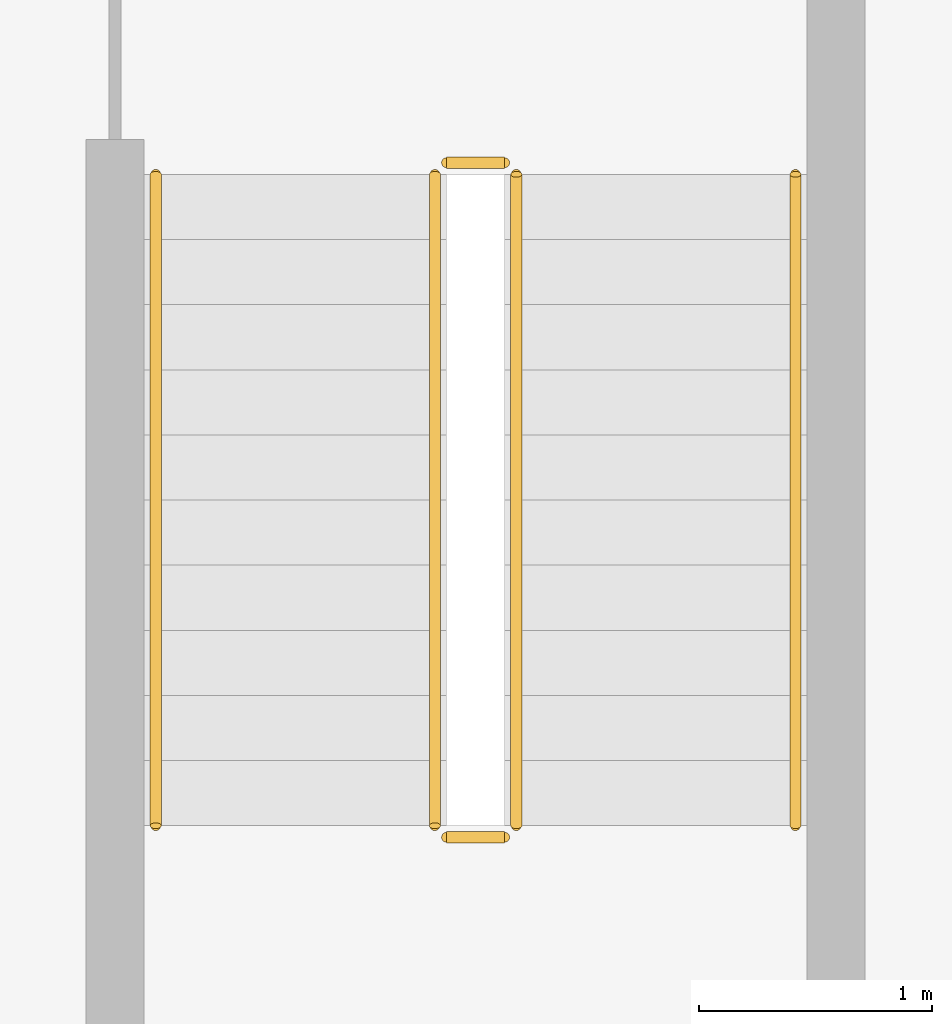
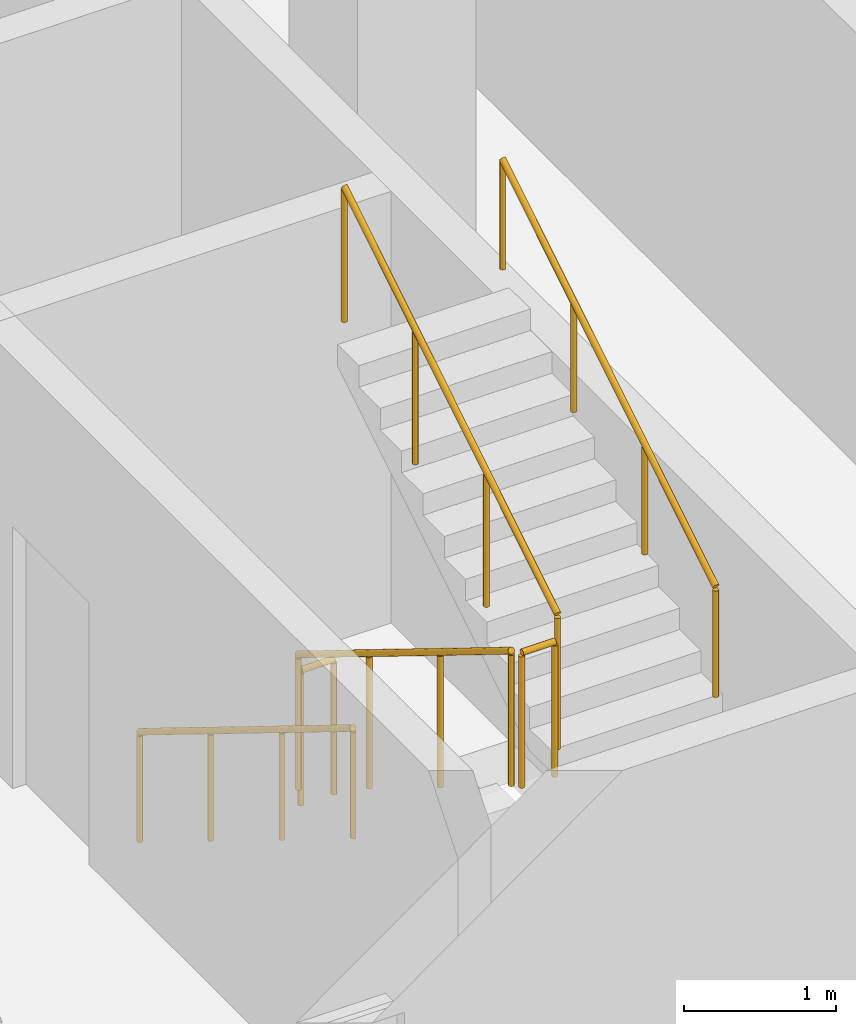
# One storey, part 26 of 29: 6 railings.
"""IFC4 building model written with IfcOpenShell, lengths in metres."""

from ifc_helpers import new_model, si_unit, direction, frame, origin, origin_2d, place, context, subcontext, project, spatial, circle, extrude, material, type_object, element, save


model = new_model("IFC4")

# Units and contexts
model_context = context("Model", 3, precision=1e-05, world=origin(), true_north=direction((0.0, 1.0)))
body_context = subcontext(model_context, "Body", "Model", "MODEL_VIEW")
ifc_project = project(units=[si_unit("LENGTHUNIT", "METRE"), si_unit("AREAUNIT", "SQUARE_METRE"), si_unit("VOLUMEUNIT", "CUBIC_METRE"), si_unit("PLANEANGLEUNIT", "RADIAN"), si_unit("MASSUNIT", "GRAM", prefix="KILO")], contexts=[model_context])

# Site, building, storey
site_placement = place(None, origin())
site = spatial("IfcSite", under=ifc_project, at=site_placement, CompositionType="ELEMENT")
building_placement = place(site_placement, origin())
building = spatial("IfcBuilding", under=site, at=building_placement, Name="Mahtab Terrace Research Tower", CompositionType="ELEMENT")
storey_placement = place(building_placement, frame((0.0, 0.0, 274.699951171875)))
storey = spatial("IfcBuildingStorey", under=building, at=storey_placement, Name="L67", CompositionType="ELEMENT", Elevation=274.699951171875)

# Railings
ifc_material = material(Name="Stainless steel AISI 304", Category="steel")
railing_type_1 = type_object("IfcRailingType", Name="Stair guard 1100", PredefinedType="GUARDRAIL", material=ifc_material)
railing_1_placement = place(storey_placement, frame((2.949951171875, -4.175048828125, 0.1728515625)))
element("IfcRailing", 1, at=railing_1_placement, inside=storey, type_object=railing_type_1, Name="L67 ST2 stair guard 1", PredefinedType="GUARDRAIL", context=body_context, shape_type="SweptSolid", body=[
    extrude(circle(Radius=0.02392578125, at=origin_2d()), frame((0.0, 0.0, 1.076171875), z_axis=(0.0, -0.851089632645, 0.525020415988), x_axis=(1.0, 0.0, 0.0)), (0.0, 0.0, 1.0), 3.2900390625),
    extrude(circle(Radius=0.02099609375, at=origin_2d()), origin(), (0.0, 0.0, 1.0), 1.052001953125),
    extrude(circle(Radius=0.02099609375, at=origin_2d()), frame((0.0, -0.933349609375, 0.57568359375)), (0.0, 0.0, 1.0), 1.052001953125),
    extrude(circle(Radius=0.02099609375, at=origin_2d()), frame((0.0, -1.86669921875, 1.151611328125)), (0.0, 0.0, 1.0), 1.052001953125),
    extrude(circle(Radius=0.02099609375, at=origin_2d()), frame((0.0, -2.800048828125, 1.727294921875)), (0.0, 0.0, 1.0), 1.052001953125),
])
railing_2_placement = place(storey_placement, frame((3.0, -7.02490234375, 1.900146484375)))
element("IfcRailing", 2, at=railing_2_placement, inside=storey, type_object=railing_type_1, Name="L67 ST2 stair guard 2", PredefinedType="GUARDRAIL", context=body_context, shape_type="SweptSolid", body=[
    extrude(circle(Radius=0.02392578125, at=origin_2d()), frame((0.0, 0.0, 1.076171875), z_axis=(1.0, 0.0, 0.0), x_axis=(0.0, 1.0, 0.0)), (0.0, 0.0, 1.0), 0.25),
    extrude(circle(Radius=0.02099609375, at=origin_2d()), origin(), (0.0, 0.0, 1.0), 1.052001953125),
    extrude(circle(Radius=0.02099609375, at=origin_2d()), frame((0.25, 0.0, 0.0)), (0.0, 0.0, 1.0), 1.052001953125),
])
railing_3_placement = place(storey_placement, frame((3.300048828125, -6.97509765625, 2.07275390625)))
element("IfcRailing", 3, at=railing_3_placement, inside=storey, type_object=railing_type_1, Name="L67 ST2 stair guard 3", PredefinedType="GUARDRAIL", context=body_context, shape_type="SweptSolid", body=[
    extrude(circle(Radius=0.02392578125, at=origin_2d()), frame((0.0, 0.0, 1.076171875), z_axis=(0.0, 0.851089632645, 0.525020415988), x_axis=(-1.0, 0.0, 0.0)), (0.0, 0.0, 1.0), 3.2900390625),
    extrude(circle(Radius=0.02099609375, at=origin_2d()), origin(), (0.0, 0.0, 1.0), 1.052001953125),
    extrude(circle(Radius=0.02099609375, at=origin_2d()), frame((0.0, 0.933349609375, 0.57568359375)), (0.0, 0.0, 1.0), 1.052001953125),
    extrude(circle(Radius=0.02099609375, at=origin_2d()), frame((0.0, 1.86669921875, 1.151611328125)), (0.0, 0.0, 1.0), 1.052001953125),
    extrude(circle(Radius=0.02099609375, at=origin_2d()), frame((0.0, 2.800048828125, 1.727294921875)), (0.0, 0.0, 1.0), 1.052001953125),
])
railing_4_placement = place(storey_placement, frame((3.0, -4.125, 0.0)))
element("IfcRailing", 4, at=railing_4_placement, inside=storey, type_object=railing_type_1, Name="L67 ST2 stair guard 4", PredefinedType="GUARDRAIL", context=body_context, shape_type="SweptSolid", body=[
    extrude(circle(Radius=0.02392578125, at=origin_2d()), frame((0.0, 0.0, 1.076171875), z_axis=(1.0, 0.0, 0.0), x_axis=(0.0, 1.0, 0.0)), (0.0, 0.0, 1.0), 0.25),
    extrude(circle(Radius=0.02099609375, at=origin_2d()), origin(), (0.0, 0.0, 1.0), 1.052001953125),
    extrude(circle(Radius=0.02099609375, at=origin_2d()), frame((0.25, 0.0, 0.0)), (0.0, 0.0, 1.0), 1.052001953125),
])
railing_type_2 = type_object("IfcRailingType", Name="Stair handrail 900", PredefinedType="HANDRAIL", material=ifc_material)
railing_5_placement = place(storey_placement, frame((1.75, -4.175048828125, 0.1728515625)))
element("IfcRailing", 5, at=railing_5_placement, inside=storey, type_object=railing_type_2, Name="L67 ST2 stair handrail 1", PredefinedType="HANDRAIL", context=body_context, shape_type="SweptSolid", body=[
    extrude(circle(Radius=0.02392578125, at=origin_2d()), frame((0.0, 0.0, 0.8759765625), z_axis=(0.0, -0.851089632645, 0.525020415988), x_axis=(1.0, 0.0, 0.0)), (0.0, 0.0, 1.0), 3.2900390625),
    extrude(circle(Radius=0.02099609375, at=origin_2d()), origin(), (0.0, 0.0, 1.0), 0.851806640625),
    extrude(circle(Radius=0.02099609375, at=origin_2d()), frame((0.0, -0.933349609375, 0.57568359375)), (0.0, 0.0, 1.0), 0.851806640625),
    extrude(circle(Radius=0.02099609375, at=origin_2d()), frame((0.0, -1.86669921875, 1.151611328125)), (0.0, 0.0, 1.0), 0.851806640625),
    extrude(circle(Radius=0.02099609375, at=origin_2d()), frame((0.0, -2.800048828125, 1.727294921875)), (0.0, 0.0, 1.0), 0.851806640625),
])
railing_6_placement = place(storey_placement, frame((4.5, -6.97509765625, 2.07275390625)))
element("IfcRailing", 6, at=railing_6_placement, inside=storey, type_object=railing_type_2, Name="L67 ST2 stair handrail 2", PredefinedType="HANDRAIL", context=body_context, shape_type="SweptSolid", body=[
    extrude(circle(Radius=0.02392578125, at=origin_2d()), frame((0.0, 0.0, 0.8759765625), z_axis=(0.0, 0.851089632645, 0.525020415988), x_axis=(-1.0, 0.0, 0.0)), (0.0, 0.0, 1.0), 3.2900390625),
    extrude(circle(Radius=0.02099609375, at=origin_2d()), origin(), (0.0, 0.0, 1.0), 0.851806640625),
    extrude(circle(Radius=0.02099609375, at=origin_2d()), frame((0.0, 0.933349609375, 0.57568359375)), (0.0, 0.0, 1.0), 0.851806640625),
    extrude(circle(Radius=0.02099609375, at=origin_2d()), frame((0.0, 1.86669921875, 1.151611328125)), (0.0, 0.0, 1.0), 0.851806640625),
    extrude(circle(Radius=0.02099609375, at=origin_2d()), frame((0.0, 2.800048828125, 1.727294921875)), (0.0, 0.0, 1.0), 0.851806640625),
])

save(model, "model.ifc")
